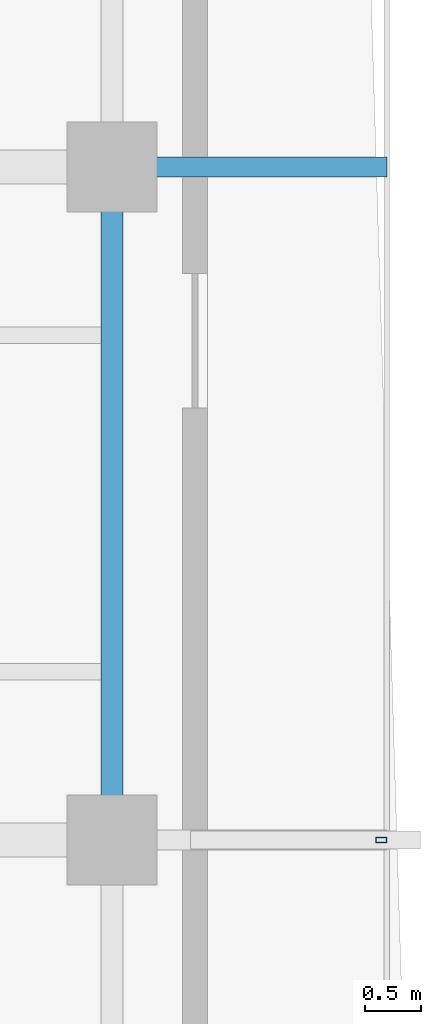
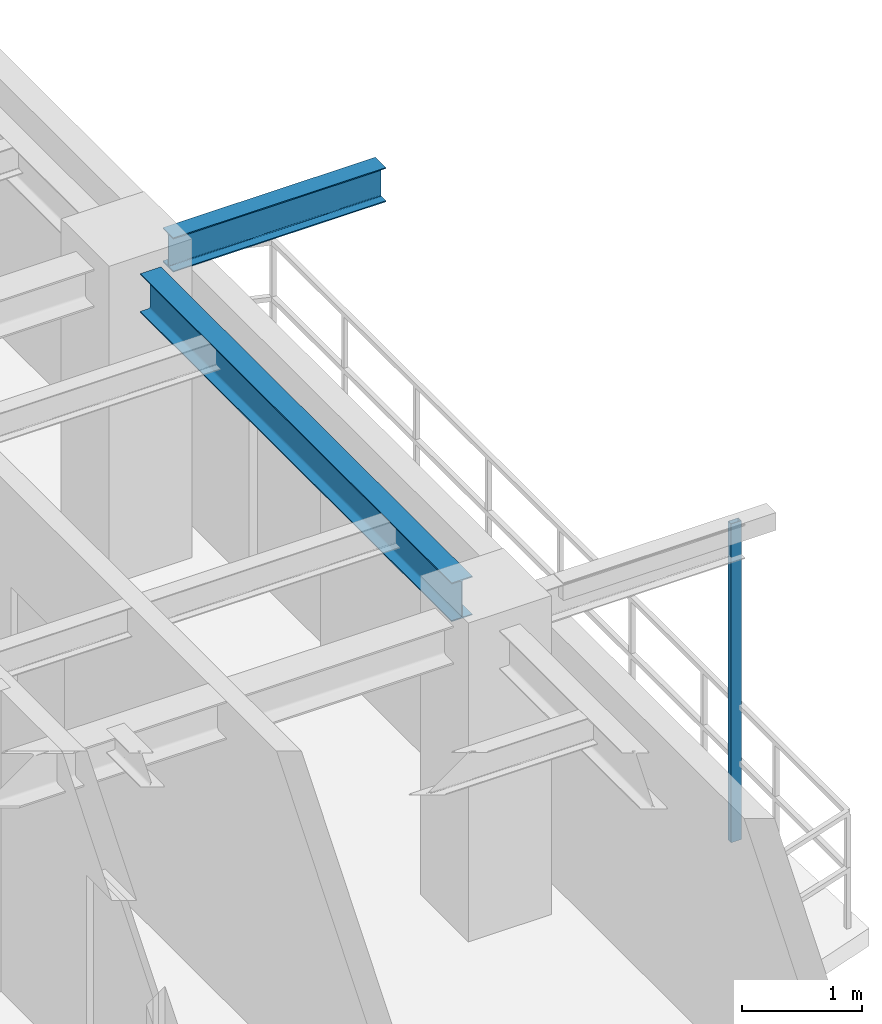
# One storey, part 7 of 15: 2 beams, 1 member.
"""IFC4 building model written with IfcOpenShell, lengths in metres."""

from ifc_helpers import new_model, si_unit, direction, frame, origin, origin_2d, place, context, subcontext, project, spatial, hollow_rectangle, i_section, extrude, source, transform, mapped, material, material_profile, profile_set, type_object, element, save


model = new_model("IFC4")

# Units and contexts
model_context = context("Model", 3, precision=1e-05, world=origin(), true_north=direction((0.0, 1.0)))
body_context = subcontext(model_context, "Body", "Model", "MODEL_VIEW")
ifc_project = project(units=[si_unit("LENGTHUNIT", "METRE"), si_unit("AREAUNIT", "SQUARE_METRE"), si_unit("VOLUMEUNIT", "CUBIC_METRE"), si_unit("PLANEANGLEUNIT", "RADIAN"), si_unit("MASSUNIT", "GRAM", prefix="KILO"), si_unit("THERMODYNAMICTEMPERATUREUNIT", "KELVIN"), si_unit("POWERUNIT", "WATT")], contexts=[model_context])

# Site, building, storey
site_placement = place(None, origin())
site = spatial("IfcSite", under=ifc_project, at=site_placement, CompositionType="ELEMENT")
building_placement = place(site_placement, origin())
building = spatial("IfcBuilding", under=site, at=building_placement, Name="Qiaomeng Ring Towers", CompositionType="ELEMENT")
storey_placement = place(building_placement, frame((0.0, 0.0, 219.75)))
storey = spatial("IfcBuildingStorey", under=building, at=storey_placement, Name="L64", CompositionType="ELEMENT", Elevation=219.75)

# Beams
ifc_material_1 = material(Name="Steel Q355B", Category="steel")
ifc_material_profile_1 = material_profile(ifc_material_1, i_section(OverallWidth=0.198974609375, OverallDepth=0.39599609375, WebThickness=0.007080078125, FlangeThickness=0.010986328125, FilletRadius=0.01611328125, at=origin_2d()), Name="HN 396x199x7x11")
ifc_profile_set_1 = profile_set([ifc_material_profile_1], Name="Steel Q355B")
beam_type_1 = type_object("IfcBeamType", Name="STR-BM-HN396", PredefinedType="SPANDREL", material=ifc_profile_set_1)
shared_shape_1 = source(origin(), body_context, "Body", "SweptSolid", [
    extrude(i_section(OverallWidth=0.198974609375, OverallDepth=0.39599609375, WebThickness=0.007080078125, FlangeThickness=0.010986328125, FilletRadius=0.01611328125, at=origin_2d()), origin(), (0.0, 0.0, 1.0), 5.2021484375),
])
beam_1_placement = place(storey_placement, frame((34.949951171875, 20.39892578125, 2.8720703125), z_axis=(0.0, 1.0, 0.0), x_axis=(-1.0, 0.0, 0.0)))
element("IfcBeam", 1, at=beam_1_placement, inside=storey, type_object=beam_type_1, Name="L64 beam STR-SP-L64-T1-E2-E3", PredefinedType="SPANDREL", context=body_context, shape_type="MappedRepresentation", body=[
    mapped(shared_shape_1, transform((0.0, 0.0, 0.0), x_axis=(1.0, 0.0, 0.0), y_axis=(0.0, 1.0, 0.0), z_axis=(0.0, 0.0, 1.0), scale=1.0)),
])
ifc_material_profile_2 = material_profile(ifc_material_1, i_section(OverallWidth=0.175048828125, OverallDepth=0.35009765625, WebThickness=0.007080078125, FlangeThickness=0.010986328125, FilletRadius=0.013916015625, at=origin_2d()), Name="HN 350x175x7x11")
ifc_profile_set_2 = profile_set([ifc_material_profile_2], Name="Steel Q355B")
beam_type_2 = type_object("IfcBeamType", Name="STR-BM-HN350", PredefinedType="JOIST", material=ifc_profile_set_2)
shared_shape_2 = source(origin(), body_context, "Body", "SweptSolid", [
    extrude(i_section(OverallWidth=0.175048828125, OverallDepth=0.35009765625, WebThickness=0.007080078125, FlangeThickness=0.010986328125, FilletRadius=0.013916015625, at=origin_2d()), origin(), (0.0, 0.0, 1.0), 2.05078125),
])
beam_2_placement = place(storey_placement, frame((35.34912109375, 26.0, 2.89501953125), z_axis=(1.0, 0.0, 0.0), x_axis=(0.0, 1.0, 0.0)))
element("IfcBeam", 2, at=beam_2_placement, inside=storey, type_object=beam_type_2, Name="L64 beam STR-BALBM-L64-E3", PredefinedType="JOIST", context=body_context, shape_type="MappedRepresentation", body=[
    mapped(shared_shape_2, transform((0.0, 0.0, 0.0), x_axis=(1.0, 0.0, 0.0), y_axis=(0.0, 1.0, 0.0), z_axis=(0.0, 0.0, 1.0), scale=1.0)),
])

# Member
ifc_material_2 = material(Name="Stainless steel 316", Category="steel")
ifc_material_profile_3 = material_profile(ifc_material_2, hollow_rectangle(XDim=0.050048828125, YDim=0.10009765625, WallThickness=0.00390625, at=origin_2d()), Name="SS TRELLIS 100x50")
ifc_profile_set_3 = profile_set([ifc_material_profile_3], Name="Stainless steel 316")
member_type = type_object("IfcMemberType", Name="ARC-TR-POST2", PredefinedType="STUD", material=ifc_profile_set_3)
shared_shape_3 = source(origin(), body_context, "Body", "SweptSolid", [
    extrude(hollow_rectangle(XDim=0.050048828125, YDim=0.10009765625, WallThickness=0.00390625, at=origin_2d()), origin(), (0.0, 0.0, 1.0), 3.25),
])
member_placement = place(storey_placement, frame((37.35009765625, 20.0, -0.179931640625), z_axis=(0.0, 0.0, 1.0), x_axis=(0.0, 1.0, 0.0)))
element("IfcMember", 3, at=member_placement, inside=storey, type_object=member_type, Name="L64 Outer Ventilated Trellis Post E", PredefinedType="STUD", context=body_context, shape_type="MappedRepresentation", body=[
    mapped(shared_shape_3, transform((0.0, 0.0, 0.0), x_axis=(1.0, 0.0, 0.0), y_axis=(0.0, 1.0, 0.0), z_axis=(0.0, 0.0, 1.0), scale=1.0)),
])

save(model, "model.ifc")
